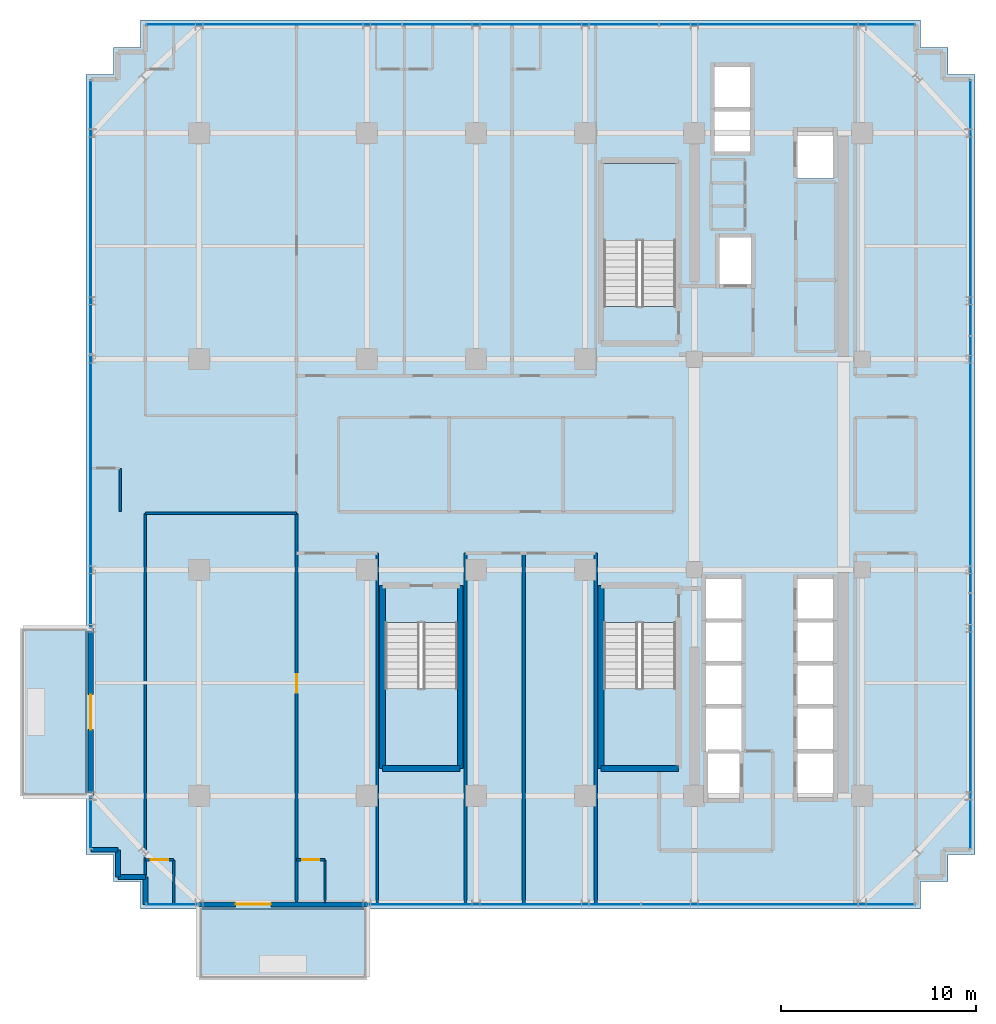
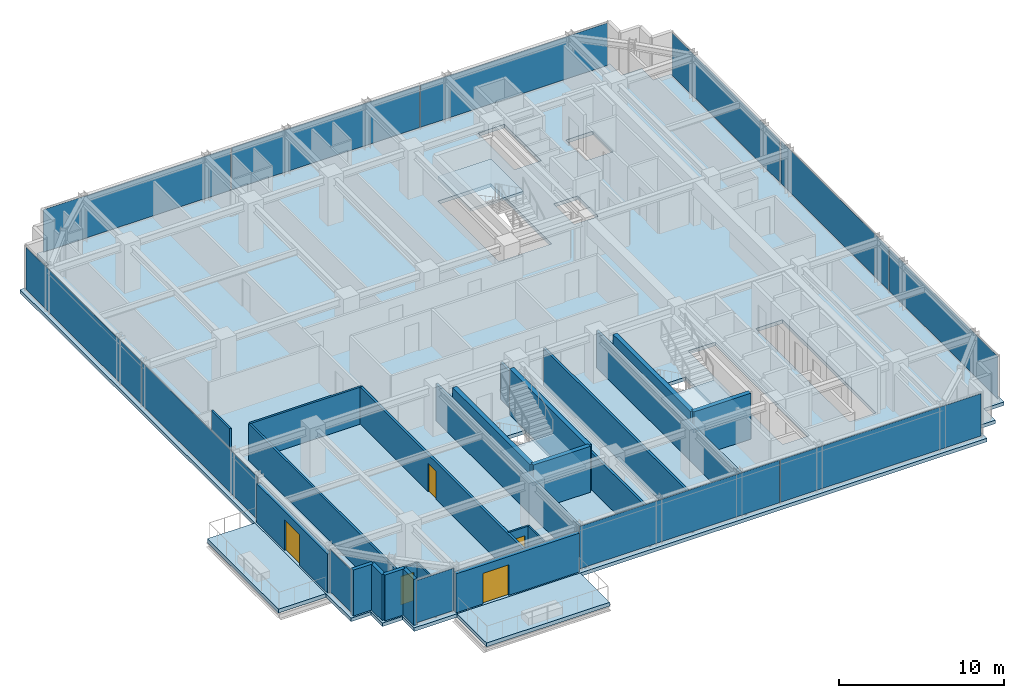
# One storey, part 24 of 31: 23 walls, 12 plates, 6 slabs, 5 doors, 5 openings, 9 elements without a shape of their own.
"""IFC4 building model written with IfcOpenShell, lengths in metres."""

from ifc_helpers import new_model, si_unit, direction, frame, frame_2d, origin, origin_2d, place, context, subcontext, project, spatial, polyline, rectangle, outline, extrude, source, transform, mapped, material, layer, layer_set, type_object, element, fill, aggregate, save


model = new_model("IFC4")

# Units and contexts
model_context = context("Model", 3, precision=1e-05, world=origin(), true_north=direction((0.0, 1.0)))
body_context = subcontext(model_context, "Body", "Model", "MODEL_VIEW")
ifc_project = project(units=[si_unit("LENGTHUNIT", "METRE"), si_unit("AREAUNIT", "SQUARE_METRE"), si_unit("VOLUMEUNIT", "CUBIC_METRE"), si_unit("PLANEANGLEUNIT", "RADIAN"), si_unit("MASSUNIT", "GRAM", prefix="KILO")], contexts=[model_context])

# Site, building, storey
site_placement = place(None, origin())
site = spatial("IfcSite", under=ifc_project, at=site_placement, CompositionType="ELEMENT")
building_placement = place(site_placement, origin())
building = spatial("IfcBuilding", under=site, at=building_placement, Name="Nahalor Promenade Grand Hotel", CompositionType="ELEMENT")
storey_placement = place(building_placement, frame((0.0, 0.0, 156.300048828125)))
storey = spatial("IfcBuildingStorey", under=building, at=storey_placement, Name="L39", CompositionType="ELEMENT", Elevation=156.300048828125)

# Stair, slab
ifc_material_1 = material(Name="Concrete B-50 (C40/50)", Category="concrete")
stair_type_1 = type_object("IfcStairType", Name="Stair-ST1", PredefinedType="HALF_TURN_STAIR", material=ifc_material_1)
stair_1_placement = place(storey_placement, origin())
stair_1 = element("IfcStair", 1, at=stair_1_placement, inside=storey, type_object=stair_type_1, Name="L39 ST1", PredefinedType="HALF_TURN_STAIR")
ifc_layer_1 = layer(ifc_material_1, 0.199951171875)
ifc_layer_set_1 = layer_set([ifc_layer_1], Name="Concrete B-50 (C40/50)")
slab_type_1 = type_object("IfcSlabType", Name="Landing-ST1", PredefinedType="LANDING", material=ifc_layer_set_1)
slab_1_placement = place(storey_placement, frame((0.0, 0.0, 1.625)))
slab_1 = element("IfcSlab", 2, at=slab_1_placement, type_object=slab_type_1, Name="ST1 landing 1", PredefinedType="LANDING", context=body_context, shape_type="SweptSolid", body=[
    extrude(outline(polyline([(7.449951171875, 11.5), (7.449951171875, 15.449951171875), (3.75, 15.449951171875), (3.75, 11.5), (7.449951171875, 11.5)])), origin(), (0.0, 0.0, 1.0), 0.199951171875),
])
aggregate(stair_1, [slab_1])

stair_type_2 = type_object("IfcStairType", Name="Stair-ST2", PredefinedType="HALF_TURN_STAIR", material=ifc_material_1)
stair_2_placement = place(storey_placement, origin())
stair_2 = element("IfcStair", 3, at=stair_2_placement, inside=storey, type_object=stair_type_2, Name="L39 ST2", PredefinedType="HALF_TURN_STAIR")
ifc_layer_2 = layer(ifc_material_1, 0.2099609375)
ifc_layer_set_2 = layer_set([ifc_layer_2], Name="Concrete B-50 (C40/50)")
slab_type_2 = type_object("IfcSlabType", Name="Landing-ST2", PredefinedType="LANDING", material=ifc_layer_set_2)
slab_2_placement = place(storey_placement, frame((0.0, 0.0, 1.614990234375)))
slab_2 = element("IfcSlab", 4, at=slab_2_placement, type_object=slab_type_2, Name="ST2 landing 1", PredefinedType="LANDING", context=body_context, shape_type="SweptSolid", body=[
    extrude(outline(polyline([(3.75, -11.5), (3.75, -15.449951171875), (7.449951171875, -15.449951171875), (7.449951171875, -11.5), (3.75, -11.5)])), origin(), (0.0, 0.0, 1.0), 0.2099609375),
])
aggregate(stair_2, [slab_2])

stair_type_3 = type_object("IfcStairType", Name="Stair-ST3", PredefinedType="HALF_TURN_STAIR", material=ifc_material_1)
stair_3_placement = place(storey_placement, origin())
stair_3 = element("IfcStair", 5, at=stair_3_placement, inside=storey, type_object=stair_type_3, Name="L39 ST3", PredefinedType="HALF_TURN_STAIR")
ifc_layer_3 = layer(ifc_material_1, 0.219970703125)
ifc_layer_set_3 = layer_set([ifc_layer_3], Name="Concrete B-50 (C40/50)")
slab_type_3 = type_object("IfcSlabType", Name="Landing-ST3", PredefinedType="LANDING", material=ifc_layer_set_3)
slab_3_placement = place(storey_placement, frame((0.0, 0.0, 1.60498046875)))
slab_3 = element("IfcSlab", 6, at=slab_3_placement, type_object=slab_type_3, Name="ST3 landing 1", PredefinedType="LANDING", context=body_context, shape_type="SweptSolid", body=[
    extrude(outline(polyline([(-7.449951171875, -11.5), (-7.449951171875, -15.449951171875), (-3.75, -15.449951171875), (-3.75, -11.5), (-7.449951171875, -11.5)])), origin(), (0.0, 0.0, 1.0), 0.219970703125),
])
aggregate(stair_3, [slab_3])

# Slabs
ifc_layer_4 = layer(ifc_material_1, 0.280029296875)
ifc_layer_set_4 = layer_set([ifc_layer_4], Name="Concrete B-50 (C40/50)")
slab_type_4 = type_object("IfcSlabType", Name="Slab-Balcony-280", PredefinedType="FLOOR", material=ifc_layer_set_4)
slab_4_placement = place(storey_placement, frame((0.0, 0.0, -0.280029296875)))
element("IfcSlab", 7, at=slab_4_placement, inside=storey, type_object=slab_type_4, Name="L39 Cantilevered Planted Balcony 1", PredefinedType="FLOOR", context=body_context, shape_type="SweptSolid", body=[
    extrude(outline(polyline([(-17.0, -26.3701171875), (-8.39990234375, -26.3701171875), (-8.39990234375, -22.800048828125), (-17.0, -22.800048828125), (-17.0, -26.3701171875)])), origin(), (0.0, 0.0, 1.0), 0.280029296875),
])
slab_5_placement = place(storey_placement, frame((0.0, 0.0, -0.280029296875)))
element("IfcSlab", 8, at=slab_5_placement, inside=storey, type_object=slab_type_4, Name="L39 Cantilevered Planted Balcony 2", PredefinedType="FLOOR", context=body_context, shape_type="SweptSolid", body=[
    extrude(outline(polyline([(-26.1201171875, -17.0), (-22.800048828125, -17.0), (-22.800048828125, -8.39990234375), (-26.1201171875, -8.39990234375), (-26.1201171875, -17.0)])), origin(), (0.0, 0.0, 1.0), 0.280029296875),
])
ifc_layer_5 = layer(ifc_material_1, 0.260009765625)
ifc_layer_set_5 = layer_set([ifc_layer_5], Name="Concrete B-50 (C40/50)")
slab_type_5 = type_object("IfcSlabType", Name="Slab-TowerZ3-260", PredefinedType="FLOOR", material=ifc_layer_set_5)
slab_6_placement = place(storey_placement, frame((0.0, 0.0, -0.260009765625)))
element("IfcSlab", 9, at=slab_6_placement, inside=storey, type_object=slab_type_5, Name="L39 Suspended Structural Floor Slab", PredefinedType="FLOOR", context=body_context, shape_type="SweptSolid", body=[
    extrude(outline(polyline([(-20.0, -22.800048828125), (20.0, -22.800048828125), (20.0, -21.39990234375), (21.39990234375, -21.39990234375), (21.39990234375, -20.0), (22.800048828125, -20.0), (22.800048828125, 20.0), (21.39990234375, 20.0), (21.39990234375, 21.39990234375), (20.0, 21.39990234375), (20.0, 22.800048828125), (-20.0, 22.800048828125), (-20.0, 21.39990234375), (-21.39990234375, 21.39990234375), (-21.39990234375, 20.0), (-22.800048828125, 20.0), (-22.800048828125, -20.0), (-21.39990234375, -20.0), (-21.39990234375, -21.39990234375), (-20.0, -21.39990234375), (-20.0, -22.800048828125)]), holes=[polyline([(3.75, 8.10009765625), (7.449951171875, 8.10009765625), (7.449951171875, 15.449951171875), (3.75, 15.449951171875), (3.75, 8.10009765625)]), polyline([(3.75, -15.449951171875), (7.449951171875, -15.449951171875), (7.449951171875, -8.10009765625), (3.75, -8.10009765625), (3.75, -15.449951171875)]), polyline([(-7.449951171875, -15.449951171875), (-3.75, -15.449951171875), (-3.75, -8.10009765625), (-7.449951171875, -8.10009765625), (-7.449951171875, -15.449951171875)]), polyline([(13.659912109375, -17.139892578125), (15.5400390625, -17.139892578125), (15.5400390625, -5.81005859375), (13.659912109375, -5.81005859375), (13.659912109375, -17.139892578125)]), polyline([(8.9599609375, -17.18994140625), (10.840087890625, -17.18994140625), (10.840087890625, -5.81005859375), (8.9599609375, -5.81005859375), (8.9599609375, -17.18994140625)]), polyline([(9.409912109375, 16.010009765625), (11.2900390625, 16.010009765625), (11.2900390625, 20.43994140625), (9.409912109375, 20.43994140625), (9.409912109375, 16.010009765625)]), polyline([(9.659912109375, 9.2099609375), (11.340087890625, 9.2099609375), (11.340087890625, 11.68994140625), (9.659912109375, 11.68994140625), (9.659912109375, 9.2099609375)]), polyline([(13.659912109375, 14.659912109375), (15.5400390625, 14.659912109375), (15.5400390625, 17.139892578125), (13.659912109375, 17.139892578125), (13.659912109375, 14.659912109375)])]), origin(), (0.0, 0.0, 1.0), 0.260009765625),
])

# Curtain wall, plate
ifc_material_2 = material(Name="Anodised Bronze Aluminium EN AW-6063 T6", Category="aluminium")
curtain_wall_type = type_object("IfcCurtainWallType", Name="CW2 Typical Hotel Flush Bronze Unitised Curtain Wall", PredefinedType="USERDEFINED", material=ifc_material_2)
curtain_wall_1_placement = place(storey_placement, origin())
curtain_wall_1 = element("IfcCurtainWall", 10, at=curtain_wall_1_placement, inside=storey, type_object=curtain_wall_type, Name="L39 Curtain Wall CW-L39-S-1", ObjectType="UNITISED_CURTAIN_WALL", PredefinedType="USERDEFINED")
ifc_material_3 = material(Name="Low-E Laminated Solar Glass", Category="glass")
ifc_layer_6 = layer(ifc_material_3, 0.028076171875)
ifc_layer_set_6 = layer_set([ifc_layer_6], Name="Low-E Laminated Solar Glass")
plate_type = type_object("IfcPlateType", Name="CWP2 Bronze Low-E Vision IGU 28mm", PredefinedType="CURTAIN_PANEL", material=ifc_layer_set_6)
shared_shape_1 = source(origin(), body_context, "Body", "SweptSolid", [
    extrude(rectangle(XDim=2.6298828125, YDim=0.028076171875, at=origin_2d()), origin(), (0.0, 0.0, 1.0), 3.1298828125),
])
plate_1_placement = place(storey_placement, frame((-18.3798828125, -22.56005859375, 0.130126953125), z_axis=(0.0, 0.0, 1.0), x_axis=(1.0, 0.0, 0.0)))
plate_1 = element("IfcPlate", 11, at=plate_1_placement, type_object=plate_type, Name="CW-L39-S-1 Glazing Panel 0-0", PredefinedType="CURTAIN_PANEL", context=body_context, shape_type="MappedRepresentation", body=[
    mapped(shared_shape_1, transform((0.0, 0.0, 0.0), scale=1.0)),
])
aggregate(curtain_wall_1, [plate_1])

curtain_wall_2_placement = place(storey_placement, origin())
curtain_wall_2 = element("IfcCurtainWall", 12, at=curtain_wall_2_placement, inside=storey, type_object=curtain_wall_type, Name="L39 Curtain Wall CW-L39-W-1", ObjectType="UNITISED_CURTAIN_WALL", PredefinedType="USERDEFINED")
plate_2_placement = place(storey_placement, frame((-22.56005859375, -18.3798828125, 0.130126953125), z_axis=(0.0, 0.0, 1.0), x_axis=(0.0, 1.0, 0.0)))
plate_2 = element("IfcPlate", 13, at=plate_2_placement, type_object=plate_type, Name="CW-L39-W-1 Glazing Panel 0-0", PredefinedType="CURTAIN_PANEL", context=body_context, shape_type="MappedRepresentation", body=[
    mapped(shared_shape_1, transform((0.0, 0.0, 0.0), scale=1.0)),
])
aggregate(curtain_wall_2, [plate_2])

# Curtain wall, plates
curtain_wall_3_placement = place(storey_placement, origin())
curtain_wall_3 = element("IfcCurtainWall", 14, at=curtain_wall_3_placement, inside=storey, type_object=curtain_wall_type, Name="L39 Curtain Wall CW-L39-S-3", ObjectType="UNITISED_CURTAIN_WALL", PredefinedType="USERDEFINED")
shared_shape_2 = source(origin(), body_context, "Body", "SweptSolid", [
    extrude(rectangle(XDim=13.982421875, YDim=0.028076171875, at=origin_2d()), origin(), (0.0, 0.0, 1.0), 3.1298828125),
])
plate_3_placement = place(storey_placement, frame((-1.34375, -22.56005859375, 0.130126953125), z_axis=(0.0, 0.0, 1.0), x_axis=(1.0, 0.0, 0.0)))
plate_3 = element("IfcPlate", 15, at=plate_3_placement, type_object=plate_type, Name="CW-L39-S-3 Glazing Panel 0-0", PredefinedType="CURTAIN_PANEL", context=body_context, shape_type="MappedRepresentation", body=[
    mapped(shared_shape_2, transform((0.0, 0.0, 0.0), scale=1.0)),
])
plate_4_placement = place(storey_placement, frame((12.703857421875, -22.56005859375, 0.130126953125), z_axis=(0.0, 0.0, 1.0), x_axis=(1.0, 0.0, 0.0)))
plate_4 = element("IfcPlate", 16, at=plate_4_placement, type_object=plate_type, Name="CW-L39-S-3 Glazing Panel 1-0", PredefinedType="CURTAIN_PANEL", context=body_context, shape_type="MappedRepresentation", body=[
    mapped(shared_shape_2, transform((0.0, 0.0, 0.0), scale=1.0)),
])
aggregate(curtain_wall_3, [plate_3, plate_4])

curtain_wall_4_placement = place(storey_placement, origin())
curtain_wall_4 = element("IfcCurtainWall", 17, at=curtain_wall_4_placement, inside=storey, type_object=curtain_wall_type, Name="L39 Curtain Wall CW-L39-W-3", ObjectType="UNITISED_CURTAIN_WALL", PredefinedType="USERDEFINED")
plate_5_placement = place(storey_placement, frame((-22.56005859375, -1.34375, 0.130126953125), z_axis=(0.0, 0.0, 1.0), x_axis=(0.0, 1.0, 0.0)))
plate_5 = element("IfcPlate", 18, at=plate_5_placement, type_object=plate_type, Name="CW-L39-W-3 Glazing Panel 0-0", PredefinedType="CURTAIN_PANEL", context=body_context, shape_type="MappedRepresentation", body=[
    mapped(shared_shape_2, transform((0.0, 0.0, 0.0), scale=1.0)),
])
plate_6_placement = place(storey_placement, frame((-22.56005859375, 12.703857421875, 0.130126953125), z_axis=(0.0, 0.0, 1.0), x_axis=(0.0, 1.0, 0.0)))
plate_6 = element("IfcPlate", 19, at=plate_6_placement, type_object=plate_type, Name="CW-L39-W-3 Glazing Panel 1-0", PredefinedType="CURTAIN_PANEL", context=body_context, shape_type="MappedRepresentation", body=[
    mapped(shared_shape_2, transform((0.0, 0.0, 0.0), scale=1.0)),
])
aggregate(curtain_wall_4, [plate_5, plate_6])

curtain_wall_5_placement = place(storey_placement, origin())
curtain_wall_5 = element("IfcCurtainWall", 20, at=curtain_wall_5_placement, inside=storey, type_object=curtain_wall_type, Name="L39 Curtain Wall CW-L39-N-1", ObjectType="UNITISED_CURTAIN_WALL", PredefinedType="USERDEFINED")
shared_shape_3 = source(origin(), body_context, "Body", "SweptSolid", [
    extrude(rectangle(XDim=13.075927734375, YDim=0.028076171875, at=origin_2d()), origin(), (0.0, 0.0, 1.0), 3.1298828125),
])
plate_7_placement = place(storey_placement, frame((-13.156982421875, 22.56005859375, 0.130126953125), z_axis=(0.0, 0.0, 1.0), x_axis=(1.0, 0.0, 0.0)))
plate_7 = element("IfcPlate", 21, at=plate_7_placement, type_object=plate_type, Name="CW-L39-N-1 Glazing Panel 0-0", PredefinedType="CURTAIN_PANEL", context=body_context, shape_type="MappedRepresentation", body=[
    mapped(shared_shape_3, transform((0.0, 0.0, 0.0), scale=1.0)),
])
plate_8_placement = place(storey_placement, frame((13.156982421875, 22.56005859375, 0.130126953125), z_axis=(0.0, 0.0, 1.0), x_axis=(1.0, 0.0, 0.0)))
plate_8 = element("IfcPlate", 22, at=plate_8_placement, type_object=plate_type, Name="CW-L39-N-1 Glazing Panel 2-0", PredefinedType="CURTAIN_PANEL", context=body_context, shape_type="MappedRepresentation", body=[
    mapped(shared_shape_3, transform((0.0, 0.0, 0.0), scale=1.0)),
])

curtain_wall_6_placement = place(storey_placement, origin())
curtain_wall_6 = element("IfcCurtainWall", 23, at=curtain_wall_6_placement, inside=storey, type_object=curtain_wall_type, Name="L39 Curtain Wall CW-L39-E-1", ObjectType="UNITISED_CURTAIN_WALL", PredefinedType="USERDEFINED")
plate_9_placement = place(storey_placement, frame((22.56005859375, -13.156982421875, 0.130126953125), z_axis=(0.0, 0.0, 1.0), x_axis=(0.0, 1.0, 0.0)))
plate_9 = element("IfcPlate", 24, at=plate_9_placement, type_object=plate_type, Name="CW-L39-E-1 Glazing Panel 0-0", PredefinedType="CURTAIN_PANEL", context=body_context, shape_type="MappedRepresentation", body=[
    mapped(shared_shape_3, transform((0.0, 0.0, 0.0), scale=1.0)),
])
plate_10_placement = place(storey_placement, frame((22.56005859375, 13.156982421875, 0.130126953125), z_axis=(0.0, 0.0, 1.0), x_axis=(0.0, 1.0, 0.0)))
plate_10 = element("IfcPlate", 25, at=plate_10_placement, type_object=plate_type, Name="CW-L39-E-1 Glazing Panel 2-0", PredefinedType="CURTAIN_PANEL", context=body_context, shape_type="MappedRepresentation", body=[
    mapped(shared_shape_3, transform((0.0, 0.0, 0.0), scale=1.0)),
])

# Plate
shared_shape_4 = source(origin(), body_context, "Body", "SweptSolid", [
    extrude(rectangle(XDim=13.1083984375, YDim=0.028076171875, at=origin_2d()), origin(), (0.0, 0.0, 1.0), 3.1298828125),
])
plate_11_placement = place(storey_placement, frame((0.0, 22.56005859375, 0.130126953125), z_axis=(0.0, 0.0, 1.0), x_axis=(1.0, 0.0, 0.0)))
plate_11 = element("IfcPlate", 26, at=plate_11_placement, type_object=plate_type, Name="CW-L39-N-1 Glazing Panel 1-0", PredefinedType="CURTAIN_PANEL", context=body_context, shape_type="MappedRepresentation", body=[
    mapped(shared_shape_4, transform((0.0, 0.0, 0.0), scale=1.0)),
])

aggregate(curtain_wall_5, [plate_7, plate_11, plate_8])

plate_12_placement = place(storey_placement, frame((22.56005859375, 0.0, 0.130126953125), z_axis=(0.0, 0.0, 1.0), x_axis=(0.0, 1.0, 0.0)))
plate_12 = element("IfcPlate", 27, at=plate_12_placement, type_object=plate_type, Name="CW-L39-E-1 Glazing Panel 1-0", PredefinedType="CURTAIN_PANEL", context=body_context, shape_type="MappedRepresentation", body=[
    mapped(shared_shape_4, transform((0.0, 0.0, 0.0), scale=1.0)),
])

aggregate(curtain_wall_6, [plate_9, plate_12, plate_10])

# Walls
ifc_layer_7 = layer(ifc_material_1, 0.300048828125)
ifc_layer_set_7 = layer_set([ifc_layer_7], Name="Concrete B-50 (C40/50)")
wall_type_1 = type_object("IfcWallType", Name="Wall-ShaftShear-300", PredefinedType="SHEAR", material=ifc_layer_set_7)
shared_shape_5 = source(origin(), body_context, "Body", "SweptSolid", [
    extrude(rectangle(XDim=3.97998046875, YDim=0.300048828125, at=frame_2d((1.989990234375, 0.0))), origin(), (0.0, 0.0, 1.0), 3.389892578125),
])
for number, where, z_axis, x_axis, name in (
    (28, (3.610107421875, -15.590087890625, 0.0), (0.0, 0.0, 1.0), (1.0, 0.0, 0.0), "L39 Exit Stair ST2 Shaft Wall S"),
    (29, (-7.590087890625, -15.590087890625, 0.0), (0.0, 0.0, 1.0), (1.0, 0.0, 0.0), "L39 Exit Stair ST3 Shaft Wall S"),
):
    element("IfcWall", number, at=place(storey_placement, frame(where, z_axis=z_axis, x_axis=x_axis)), inside=storey, type_object=wall_type_1, Name=name, PredefinedType="SHEAR", context=body_context, shape_type="MappedRepresentation", body=[
        mapped(shared_shape_5, transform((0.0, 0.0, 0.0), scale=1.0)),
    ])
shared_shape_6 = source(origin(), body_context, "Body", "SweptSolid", [
    extrude(rectangle(XDim=9.380126953125, YDim=0.300048828125, at=frame_2d((4.68994140625, 0.0))), origin(), (0.0, 0.0, 1.0), 3.389892578125),
])
for number, where, z_axis, x_axis, name in (
    (30, (3.610107421875, -15.590087890625, 0.0), (0.0, 0.0, 1.0), (0.0, 1.0, 0.0), "L39 Exit Stair ST2 Shaft Wall W"),
    (31, (-7.590087890625, -15.590087890625, 0.0), (0.0, 0.0, 1.0), (0.0, 1.0, 0.0), "L39 Exit Stair ST3 Shaft Wall W"),
    (32, (-3.610107421875, -15.590087890625, 0.0), (0.0, 0.0, 1.0), (0.0, 1.0, 0.0), "L39 Exit Stair ST3 Shaft Wall E"),
):
    element("IfcWall", number, at=place(storey_placement, frame(where, z_axis=z_axis, x_axis=x_axis)), inside=storey, type_object=wall_type_1, Name=name, PredefinedType="SHEAR", context=body_context, shape_type="MappedRepresentation", body=[
        mapped(shared_shape_6, transform((0.0, 0.0, 0.0), scale=1.0)),
    ])
ifc_material_4 = material(Name="Concrete B-40 (C32/40)", Category="concrete")
ifc_layer_8 = layer(ifc_material_4, 0.25)
ifc_layer_set_8 = layer_set([ifc_layer_8], Name="Concrete B-40 (C32/40)")
wall_type_2 = type_object("IfcWallType", Name="Wall-BronzePier-250", PredefinedType="STANDARD", material=ifc_layer_set_8)
shared_shape_7 = source(origin(), body_context, "Body", "SweptSolid", [
    extrude(rectangle(XDim=1.400146484375, YDim=0.25, at=frame_2d((0.7001953125, 0.0))), origin(), (0.0, 0.0, 1.0), 3.389892578125),
])
for number, where, z_axis, x_axis, name in (
    (33, (-22.56005859375, -19.760009765625, 0.0), (0.0, 0.0, 1.0), (1.0, 0.0, 0.0), "W-L39-SR-13"),
    (34, (-19.760009765625, -22.56005859375, 0.0), (0.0, 0.0, 1.0), (0.0, 1.0, 0.0), "W-L39-SR-16"),
):
    element("IfcWall", number, at=place(storey_placement, frame(where, z_axis=z_axis, x_axis=x_axis)), inside=storey, type_object=wall_type_2, Name=name, PredefinedType="STANDARD", context=body_context, shape_type="MappedRepresentation", body=[
        mapped(shared_shape_7, transform((0.0, 0.0, 0.0), scale=1.0)),
    ])
shared_shape_8 = source(origin(), body_context, "Body", "SweptSolid", [
    extrude(rectangle(XDim=1.39990234375, YDim=0.25, at=frame_2d((0.699951171875, 0.0))), origin(), (0.0, 0.0, 1.0), 3.389892578125),
])
for number, where, z_axis, x_axis, name in (
    (35, (-21.159912109375, -21.159912109375, 0.0), (0.0, 0.0, 1.0), (0.0, 1.0, 0.0), "W-L39-SR-14"),
    (36, (-21.159912109375, -21.159912109375, 0.0), (0.0, 0.0, 1.0), (1.0, 0.0, 0.0), "W-L39-SR-15"),
):
    element("IfcWall", number, at=place(storey_placement, frame(where, z_axis=z_axis, x_axis=x_axis)), inside=storey, type_object=wall_type_2, Name=name, PredefinedType="STANDARD", context=body_context, shape_type="MappedRepresentation", body=[
        mapped(shared_shape_8, transform((0.0, 0.0, 0.0), scale=1.0)),
    ])

# Wall, opening, door
ifc_layer_9 = layer(ifc_material_4, 0.260009765625)
ifc_layer_set_9 = layer_set([ifc_layer_9], Name="Concrete B-40 (C32/40)")
wall_type_3 = type_object("IfcWallType", Name="Wall-BalconyWall-260", PredefinedType="STANDARD", material=ifc_layer_set_9)
shared_shape_9 = source(origin(), body_context, "Body", "SweptSolid", [
    extrude(rectangle(XDim=8.60009765625, YDim=0.260009765625, at=frame_2d((4.300048828125, 0.0))), origin(), (0.0, 0.0, 1.0), 2.869873046875),
])
wall_1_placement = place(storey_placement, frame((-17.0, -22.56005859375, 0.0), z_axis=(0.0, 0.0, 1.0), x_axis=(1.0, 0.0, 0.0)))
wall_1 = element("IfcWall", 37, at=wall_1_placement, inside=storey, type_object=wall_type_3, Name="W-L39-BALC-S-2", PredefinedType="STANDARD", context=body_context, shape_type="MappedRepresentation", body=[
    mapped(shared_shape_9, transform((0.0, 0.0, 0.0), scale=1.0)),
])
opening_1_placement = place(wall_1_placement, frame((1.875, 0.0, 0.0)))
opening_1 = element("IfcOpeningElement", 38, at=opening_1_placement, cuts=wall_1, Name="Opening D-BC1", PredefinedType="OPENING", context=body_context, shape_type="SweptSolid", body=[
    extrude(rectangle(XDim=1.800048828125, YDim=2.25, at=frame_2d((0.89990234375, 1.125))), frame((0.0, 0.139892578125, 0.0), z_axis=(0.0, -1.0, 0.0), x_axis=(1.0, 0.0, 0.0)), (0.0, 0.0, 1.0), 0.280029296875),
])
door_type_1 = type_object("IfcDoorType", Name="Door-BalconySlide-1800", OperationType="DOUBLE_DOOR_SLIDING", PredefinedType="DOOR", material=ifc_material_2)
shared_shape_10 = source(origin(), body_context, "Body", "SweptSolid", [
    extrude(rectangle(XDim=1.800048828125, YDim=2.25, at=frame_2d((0.89990234375, 1.125))), frame((0.0, 0.02490234375, 0.0), z_axis=(0.0, -1.0, 0.0), x_axis=(1.0, 0.0, 0.0)), (0.0, 0.0, 1.0), 0.050048828125),
])
door_1_placement = place(opening_1_placement, frame((1.800048828125, 0.0, 0.0), z_axis=(0.0, 0.0, 1.0), x_axis=(-1.0, 0.0, 0.0)))
door_1 = element("IfcDoor", 39, at=door_1_placement, inside=storey, type_object=door_type_1, Name="DR-L39-BALC-S-2", OperationType="DOUBLE_DOOR_SLIDING", OverallHeight=2.25, OverallWidth=1.800048828125, PredefinedType="DOOR", context=body_context, shape_type="MappedRepresentation", body=[
    mapped(shared_shape_10, transform((0.0, 0.0, 0.0), scale=1.0)),
])
fill(opening_1, door_1)

wall_2_placement = place(storey_placement, frame((-22.56005859375, -17.0, 0.0), z_axis=(0.0, 0.0, 1.0), x_axis=(0.0, 1.0, 0.0)))
wall_2 = element("IfcWall", 40, at=wall_2_placement, inside=storey, type_object=wall_type_3, Name="W-L39-BALC-W-2", PredefinedType="STANDARD", context=body_context, shape_type="MappedRepresentation", body=[
    mapped(shared_shape_9, transform((0.0, 0.0, 0.0), scale=1.0)),
])
opening_2_placement = place(wall_2_placement, frame((3.39990234375, 0.0, 0.0)))
opening_2 = element("IfcOpeningElement", 41, at=opening_2_placement, cuts=wall_2, Name="Opening D-BC1", PredefinedType="OPENING", context=body_context, shape_type="SweptSolid", body=[
    extrude(rectangle(XDim=1.800048828125, YDim=2.25, at=frame_2d((0.89990234375, 1.125))), frame((0.0, 0.139892578125, 0.0), z_axis=(0.0, -1.0, 0.0), x_axis=(1.0, 0.0, 0.0)), (0.0, 0.0, 1.0), 0.280029296875),
])
door_2_placement = place(opening_2_placement, origin())
door_2 = element("IfcDoor", 42, at=door_2_placement, inside=storey, type_object=door_type_1, Name="DR-L39-BALC-W-2", OperationType="DOUBLE_DOOR_SLIDING", OverallHeight=2.25, OverallWidth=1.800048828125, PredefinedType="DOOR", context=body_context, shape_type="MappedRepresentation", body=[
    mapped(shared_shape_10, transform((0.0, 0.0, 0.0), scale=1.0)),
])
fill(opening_2, door_2)

# Walls
ifc_material_5 = material(Name="Acoustic Mineral Gypsum", Category="gypsum")
ifc_layer_10 = layer(ifc_material_5, 0.159912109375)
ifc_layer_set_10 = layer_set([ifc_layer_10], Name="Acoustic Mineral Gypsum")
wall_type_4 = type_object("IfcWallType", Name="Wall-PartCorridor-160", PredefinedType="PARTITIONING", material=ifc_layer_set_10)
shared_shape_11 = source(origin(), body_context, "Body", "SweptSolid", [
    extrude(rectangle(XDim=17.949951171875, YDim=0.159912109375, at=frame_2d((8.97509765625, 0.0))), origin(), (0.0, 0.0, 1.0), 2.72998046875),
])
for number, where, z_axis, x_axis, name in (
    (43, (-3.340087890625, -22.5, 0.0), (0.0, 0.0, 1.0), (0.0, 1.0, 0.0), "W-L39-SCB1-W"),
    (44, (-0.35009765625, -22.5, 0.0), (0.0, 0.0, 1.0), (0.0, 1.0, 0.0), "W-L39-SCB1-E"),
    (45, (3.340087890625, -22.5, 0.0), (0.0, 0.0, 1.0), (0.0, 1.0, 0.0), "W-L39-SCB2-E"),
):
    element("IfcWall", number, at=place(storey_placement, frame(where, z_axis=z_axis, x_axis=x_axis)), inside=storey, type_object=wall_type_4, Name=name, PredefinedType="PARTITIONING", context=body_context, shape_type="MappedRepresentation", body=[
        mapped(shared_shape_11, transform((0.0, 0.0, 0.0), scale=1.0)),
    ])

# Wall, opening, door
shared_shape_12 = source(origin(), body_context, "Body", "SweptSolid", [
    extrude(rectangle(XDim=20.0, YDim=0.159912109375, at=frame_2d((10.0, 0.0))), origin(), (0.0, 0.0, 1.0), 2.72998046875),
])
wall_3_placement = place(storey_placement, frame((-12.0, -22.5, 0.0), z_axis=(0.0, 0.0, 1.0), x_axis=(0.0, 1.0, 0.0)))
wall_3 = element("IfcWall", 46, at=wall_3_placement, inside=storey, type_object=wall_type_4, Name="W-L39-ZSW-E", PredefinedType="PARTITIONING", context=body_context, shape_type="MappedRepresentation", body=[
    mapped(shared_shape_12, transform((0.0, 0.0, 0.0), scale=1.0)),
])
opening_3_placement = place(wall_3_placement, frame((10.784912109375, 0.0, 0.0)))
opening_3 = element("IfcOpeningElement", 47, at=opening_3_placement, cuts=wall_3, Name="Opening D-01", PredefinedType="OPENING", context=body_context, shape_type="SweptSolid", body=[
    extrude(rectangle(XDim=0.949951171875, YDim=2.10009765625, at=frame_2d((0.47509765625, 1.050048828125))), frame((0.0, 0.08984375, 0.0), z_axis=(0.0, -1.0, 0.0), x_axis=(1.0, 0.0, 0.0)), (0.0, 0.0, 1.0), 0.179931640625),
])
ifc_material_6 = material(Name="Fire-Rated Timber Composite", Category="wood")
door_type_2 = type_object("IfcDoorType", Name="Door-GuestEntry-950", OperationType="NOTDEFINED", PredefinedType="DOOR", material=ifc_material_6)
shared_shape_13 = source(origin(), body_context, "Body", "SweptSolid", [
    extrude(rectangle(XDim=0.949951171875, YDim=2.10009765625, at=frame_2d((0.47509765625, 1.050048828125))), frame((0.0, 0.02490234375, 0.0), z_axis=(0.0, -1.0, 0.0), x_axis=(1.0, 0.0, 0.0)), (0.0, 0.0, 1.0), 0.050048828125),
])
door_3_placement = place(opening_3_placement, origin())
door_3 = element("IfcDoor", 48, at=door_3_placement, inside=storey, type_object=door_type_2, Name="DR-L39-SW0-ENT", OperationType="SINGLE_SWING_LEFT", OverallHeight=2.10009765625, OverallWidth=0.949951171875, PredefinedType="DOOR", context=body_context, shape_type="MappedRepresentation", body=[
    mapped(shared_shape_13, transform((0.0, 0.0, 0.0), scale=1.0)),
])
fill(opening_3, door_3)

# Wall
ifc_layer_11 = layer(ifc_material_5, 0.139892578125)
ifc_layer_set_11 = layer_set([ifc_layer_11], Name="Acoustic Mineral Gypsum")
wall_type_5 = type_object("IfcWallType", Name="Wall-PartSuite-140", PredefinedType="PARTITIONING", material=ifc_layer_set_11)
shared_shape_14 = source(origin(), body_context, "Body", "SweptSolid", [
    extrude(rectangle(XDim=18.580078125, YDim=0.139892578125, at=frame_2d((9.2900390625, 0.0))), origin(), (0.0, 0.0, 1.0), 2.72998046875),
])
wall_4_placement = place(storey_placement, frame((-19.760009765625, -21.080078125, 0.0), z_axis=(0.0, 0.0, 1.0), x_axis=(0.0, 1.0, 0.0)))
element("IfcWall", 49, at=wall_4_placement, inside=storey, type_object=wall_type_5, Name="W-L39-ZSW-W", PredefinedType="PARTITIONING", context=body_context, shape_type="MappedRepresentation", body=[
    mapped(shared_shape_14, transform((0.0, 0.0, 0.0), scale=1.0)),
])

# Wall, opening, door
ifc_layer_12 = layer(ifc_material_5, 0.1201171875)
ifc_layer_set_12 = layer_set([ifc_layer_12], Name="Acoustic Mineral Gypsum")
wall_type_6 = type_object("IfcWallType", Name="Wall-PartBath-120", PredefinedType="PARTITIONING", material=ifc_layer_set_12)
shared_shape_15 = source(origin(), body_context, "Body", "SweptSolid", [
    extrude(rectangle(XDim=1.449951171875, YDim=0.1201171875, at=frame_2d((0.72509765625, 0.0))), origin(), (0.0, 0.0, 1.0), 2.72998046875),
])
wall_5_placement = place(storey_placement, frame((-19.760009765625, -20.280029296875, 0.0), z_axis=(0.0, 0.0, 1.0), x_axis=(1.0, 0.0, 0.0)))
wall_5 = element("IfcWall", 50, at=wall_5_placement, inside=storey, type_object=wall_type_6, Name="W-L39-SW0-BH", PredefinedType="PARTITIONING", context=body_context, shape_type="MappedRepresentation", body=[
    mapped(shared_shape_15, transform((0.0, 0.0, 0.0), scale=1.0)),
])
opening_4_placement = place(wall_5_placement, frame((0.284912109375, 0.0, 0.0)))
opening_4 = element("IfcOpeningElement", 51, at=opening_4_placement, cuts=wall_5, Name="Opening D-03", PredefinedType="OPENING", context=body_context, shape_type="SweptSolid", body=[
    extrude(rectangle(XDim=0.8798828125, YDim=2.10009765625, at=frame_2d((0.43994140625, 1.050048828125))), frame((0.0, 0.070068359375, 0.0), z_axis=(0.0, -1.0, 0.0), x_axis=(1.0, 0.0, 0.0)), (0.0, 0.0, 1.0), 0.14013671875),
])
door_type_3 = type_object("IfcDoorType", Name="Door-BathSwing-880", OperationType="NOTDEFINED", PredefinedType="DOOR", material=ifc_material_6)
shared_shape_16 = source(origin(), body_context, "Body", "SweptSolid", [
    extrude(rectangle(XDim=0.8798828125, YDim=2.10009765625, at=frame_2d((0.43994140625, 1.050048828125))), frame((0.0, 0.02490234375, 0.0), z_axis=(0.0, -1.0, 0.0), x_axis=(1.0, 0.0, 0.0)), (0.0, 0.0, 1.0), 0.050048828125),
])
door_4_placement = place(opening_4_placement, frame((0.8798828125, 0.0, 0.0), z_axis=(0.0, 0.0, 1.0), x_axis=(-1.0, 0.0, 0.0)))
door_4 = element("IfcDoor", 52, at=door_4_placement, inside=storey, type_object=door_type_3, Name="DR-L39-SW0-BATH", OperationType="SINGLE_SWING_RIGHT", OverallHeight=2.10009765625, OverallWidth=0.8798828125, PredefinedType="DOOR", context=body_context, shape_type="MappedRepresentation", body=[
    mapped(shared_shape_16, transform((0.0, 0.0, 0.0), scale=1.0)),
])
fill(opening_4, door_4)

wall_6_placement = place(storey_placement, frame((-12.0, -20.280029296875, 0.0), z_axis=(0.0, 0.0, 1.0), x_axis=(1.0, 0.0, 0.0)))
wall_6 = element("IfcWall", 53, at=wall_6_placement, inside=storey, type_object=wall_type_6, Name="W-L39-S1-BH", PredefinedType="PARTITIONING", context=body_context, shape_type="MappedRepresentation", body=[
    mapped(shared_shape_15, transform((0.0, 0.0, 0.0), scale=1.0)),
])
opening_5_placement = place(wall_6_placement, frame((0.284912109375, 0.0, 0.0)))
opening_5 = element("IfcOpeningElement", 54, at=opening_5_placement, cuts=wall_6, Name="Opening D-03", PredefinedType="OPENING", context=body_context, shape_type="SweptSolid", body=[
    extrude(rectangle(XDim=0.8798828125, YDim=2.10009765625, at=frame_2d((0.43994140625, 1.050048828125))), frame((0.0, 0.070068359375, 0.0), z_axis=(0.0, -1.0, 0.0), x_axis=(1.0, 0.0, 0.0)), (0.0, 0.0, 1.0), 0.14013671875),
])
door_5_placement = place(opening_5_placement, frame((0.8798828125, 0.0, 0.0), z_axis=(0.0, 0.0, 1.0), x_axis=(-1.0, 0.0, 0.0)))
door_5 = element("IfcDoor", 55, at=door_5_placement, inside=storey, type_object=door_type_3, Name="DR-L39-S1-BATH", OperationType="SINGLE_SWING_RIGHT", OverallHeight=2.10009765625, OverallWidth=0.8798828125, PredefinedType="DOOR", context=body_context, shape_type="MappedRepresentation", body=[
    mapped(shared_shape_16, transform((0.0, 0.0, 0.0), scale=1.0)),
])
fill(opening_5, door_5)

# Walls
shared_shape_17 = source(origin(), body_context, "Body", "SweptSolid", [
    extrude(rectangle(XDim=2.219970703125, YDim=0.1201171875, at=frame_2d((1.10986328125, 0.0))), origin(), (0.0, 0.0, 1.0), 2.72998046875),
])
for number, where, z_axis, x_axis, name in (
    (56, (-18.31005859375, -22.5, 0.0), (0.0, 0.0, 1.0), (0.0, 1.0, 0.0), "W-L39-SW0-BV"),
    (57, (-10.550048828125, -22.5, 0.0), (0.0, 0.0, 1.0), (0.0, 1.0, 0.0), "W-L39-S1-BV"),
    (58, (-21.050048828125, -2.419921875, 0.0), (0.0, 0.0, 1.0), (0.0, 1.0, 0.0), "W-L39-W1-BV"),
):
    element("IfcWall", number, at=place(storey_placement, frame(where, z_axis=z_axis, x_axis=x_axis)), inside=storey, type_object=wall_type_6, Name=name, PredefinedType="PARTITIONING", context=body_context, shape_type="MappedRepresentation", body=[
        mapped(shared_shape_17, transform((0.0, 0.0, 0.0), scale=1.0)),
    ])
shared_shape_18 = source(origin(), body_context, "Body", "SweptSolid", [
    extrude(rectangle(XDim=17.949951171875, YDim=0.139892578125, at=frame_2d((8.97509765625, 0.0))), origin(), (0.0, 0.0, 1.0), 2.72998046875),
])
wall_7_placement = place(storey_placement, frame((-7.860107421875, -22.5, 0.0), z_axis=(0.0, 0.0, 1.0), x_axis=(0.0, 1.0, 0.0)))
element("IfcWall", 59, at=wall_7_placement, inside=storey, type_object=wall_type_5, Name="W-L39-SW-ENDE", PredefinedType="PARTITIONING", context=body_context, shape_type="MappedRepresentation", body=[
    mapped(shared_shape_18, transform((0.0, 0.0, 0.0), scale=1.0)),
])
shared_shape_19 = source(origin(), body_context, "Body", "SweptSolid", [
    extrude(rectangle(XDim=7.760009765625, YDim=0.139892578125, at=frame_2d((3.8798828125, 0.0))), origin(), (0.0, 0.0, 1.0), 2.72998046875),
])
wall_8_placement = place(storey_placement, frame((-19.760009765625, -2.5, 0.0), z_axis=(0.0, 0.0, 1.0), x_axis=(1.0, 0.0, 0.0)))
element("IfcWall", 60, at=wall_8_placement, inside=storey, type_object=wall_type_5, Name="W-L39-ZSW-N", PredefinedType="PARTITIONING", context=body_context, shape_type="MappedRepresentation", body=[
    mapped(shared_shape_19, transform((0.0, 0.0, 0.0), scale=1.0)),
])

save(model, "model.ifc")
